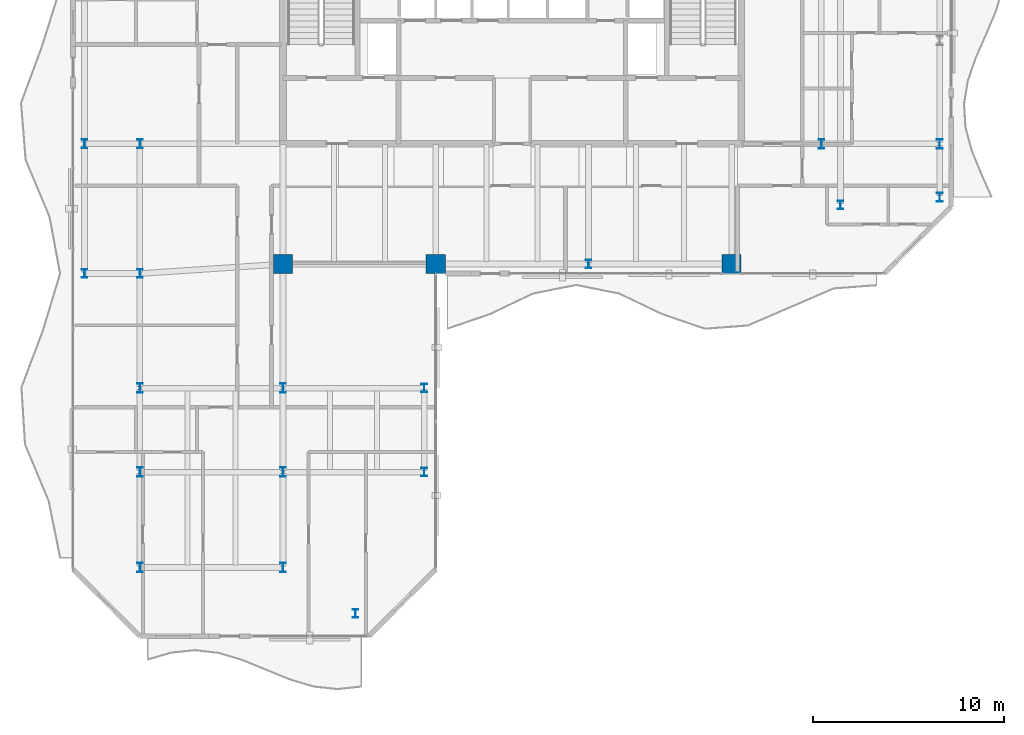
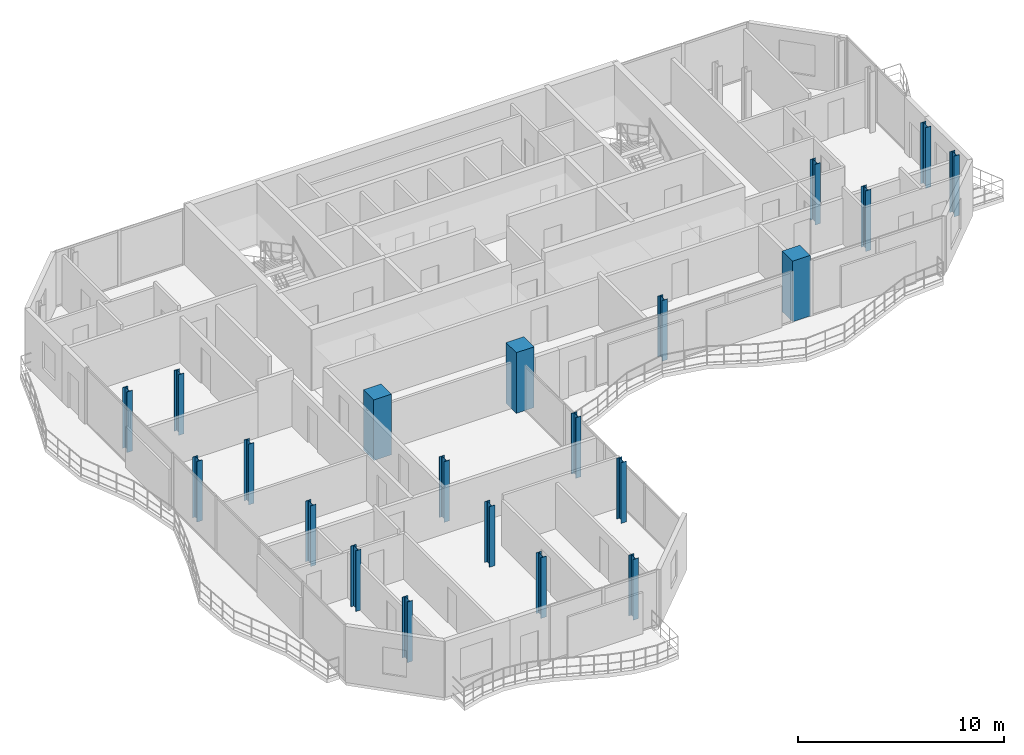
# One storey, part 1 of 23: 21 columns.
"""IFC4 building model written with IfcOpenShell, lengths in metres."""

from ifc_helpers import new_model, si_unit, direction, frame, origin, origin_2d, place, context, subcontext, project, spatial, rectangle, i_section, extrude, material, material_profile, profile_set, type_object, element, save


model = new_model("IFC4")

# Units and contexts
model_context = context("Model", 3, precision=1e-05, world=origin(), true_north=direction((0.0, 1.0)))
body_context = subcontext(model_context, "Body", "Model", "MODEL_VIEW")
ifc_project = project(units=[si_unit("LENGTHUNIT", "METRE"), si_unit("AREAUNIT", "SQUARE_METRE"), si_unit("VOLUMEUNIT", "CUBIC_METRE"), si_unit("PLANEANGLEUNIT", "RADIAN"), si_unit("MASSUNIT", "GRAM", prefix="KILO")], contexts=[model_context])

# Site, building, storey
site_placement = place(None, origin())
site = spatial("IfcSite", under=ifc_project, at=site_placement, CompositionType="ELEMENT")
building_placement = place(site_placement, origin())
building = spatial("IfcBuilding", under=site, at=building_placement, Name="Catumbela Crestline Tower", CompositionType="ELEMENT")
storey_placement = place(building_placement, frame((0.0, 0.0, 201.0)))
storey = spatial("IfcBuildingStorey", under=building, at=storey_placement, Name="L52", CompositionType="ELEMENT", Elevation=201.0)

# Columns
ifc_material_1 = material(Name="Concrete C50/60", Category="concrete")
ifc_material_profile_1 = material_profile(ifc_material_1, rectangle(XDim=1.0, YDim=1.0, at=origin_2d()), Name="RC 1000x1000")
ifc_profile_set_1 = profile_set([ifc_material_profile_1], Name="Concrete C50/60")
column_type_1 = type_object("IfcColumnType", Name="C-RC1000-C50", PredefinedType="COLUMN", material=ifc_profile_set_1)
for number, where, z_axis, x_axis, name in (
    (1, (16.0, 24.5, 0.0), (0.0, 0.0, 1.0), (1.0, 0.0, 0.0), "L52 Column C-16-24 (RC 1000x1000)"),
    (2, (24.0, 24.5, 0.0), (0.0, 0.0, 1.0), (1.0, 0.0, 0.0), "L52 Column C-24-24 (RC 1000x1000)"),
    (3, (39.5, 24.5, 0.0), (0.0, 0.0, 1.0), (1.0, 0.0, 0.0), "L52 Column C-40-24 (RC 1000x1000)"),
):
    element("IfcColumn", number, at=place(storey_placement, frame(where, z_axis=z_axis, x_axis=x_axis)), inside=storey, type_object=column_type_1, Name=name, PredefinedType="COLUMN", context=body_context, shape_type="SweptSolid", body=[
        extrude(rectangle(XDim=1.0, YDim=1.0, at=origin_2d()), origin(), (0.0, 0.0, 1.0), 3.6),
    ])
ifc_material_2 = material(Name="Structural steel S355J2", Category="steel")
ifc_material_profile_2 = material_profile(ifc_material_2, i_section(OverallWidth=0.3, OverallDepth=0.45, WebThickness=0.014, FlangeThickness=0.026, FilletRadius=0.027, at=origin_2d()), Name="HEB 450")
ifc_profile_set_2 = profile_set([ifc_material_profile_2], Name="Structural steel S355J2")
column_type_2 = type_object("IfcColumnType", Name="C-ST-HEB450", PredefinedType="COLUMN", material=ifc_profile_set_2)
for number, where, z_axis, x_axis, name in (
    (4, (8.5, 24.0, 0.0), (0.0, 0.0, 1.0), (1.0, 0.0, 0.0), "L52 Column C-08-24 (HEB 450)"),
    (5, (32.0, 24.5, 0.0), (0.0, 0.0, 1.0), (1.0, 0.0, 0.0), "L52 Column C-32-24 (HEB 450)"),
    (6, (5.6, 24.0, 0.0), (0.0, 0.0, 1.0), (1.0, 0.0, 0.0), "L52 Column C-05-24 (HEB 450)"),
    (7, (5.6, 30.8, 0.0), (0.0, 0.0, 1.0), (1.0, 0.0, 0.0), "L52 Column C-05-31 (HEB 450)"),
    (8, (8.5, 30.8, 0.0), (0.0, 0.0, 1.0), (1.0, 0.0, 0.0), "L52 Column C-08-31 (HEB 450)"),
    (9, (45.2, 27.6, 0.0), (0.0, 0.0, 1.0), (1.0, 0.0, 0.0), "L52 Column C-46-24 (HEB 450)"),
    (10, (50.4, 28.0, 0.0), (0.0, 0.0, 1.0), (1.0, 0.0, 0.0), "L52 Column C-51-24 (HEB 450)"),
    (11, (19.8, 6.2, 0.0), (0.0, 0.0, 1.0), (1.0, 0.0, 0.0), "L52 Column C-24-05 (HEB 450)"),
    (12, (23.4, 13.6, 0.0), (0.0, 0.0, 1.0), (1.0, 0.0, 0.0), "L52 Column C-24-10 (HEB 450)"),
    (13, (23.4, 18.0, 0.0), (0.0, 0.0, 1.0), (1.0, 0.0, 0.0), "L52 Column C-24-16 (HEB 450)"),
):
    element("IfcColumn", number, at=place(storey_placement, frame(where, z_axis=z_axis, x_axis=x_axis)), inside=storey, type_object=column_type_2, Name=name, PredefinedType="COLUMN", context=body_context, shape_type="SweptSolid", body=[
        extrude(i_section(OverallWidth=0.3, OverallDepth=0.45, WebThickness=0.014, FlangeThickness=0.026, FilletRadius=0.027, at=origin_2d()), origin(), (0.0, 0.0, 1.0), 3.6),
    ])
ifc_material_profile_3 = material_profile(ifc_material_2, i_section(OverallWidth=0.3, OverallDepth=0.5, WebThickness=0.0145, FlangeThickness=0.028, FilletRadius=0.027, at=origin_2d()), Name="HEB 500")
ifc_profile_set_3 = profile_set([ifc_material_profile_3], Name="Structural steel S355J2")
column_type_3 = type_object("IfcColumnType", Name="C-ST-HEB500", PredefinedType="COLUMN", material=ifc_profile_set_3)
for number, where, z_axis, x_axis, name in (
    (14, (8.5, 8.6, 0.0), (0.0, 0.0, 1.0), (1.0, 0.0, 0.0), "L52 Column CT-05-05 (HEB 500)"),
    (15, (16.0, 8.6, 0.0), (0.0, 0.0, 1.0), (1.0, 0.0, 0.0), "L52 Column CT-14-05 (HEB 500)"),
    (16, (8.5, 13.6, 0.0), (0.0, 0.0, 1.0), (1.0, 0.0, 0.0), "L52 Column CT-05-10 (HEB 500)"),
    (17, (16.0, 13.6, 0.0), (0.0, 0.0, 1.0), (1.0, 0.0, 0.0), "L52 Column CT-14-10 (HEB 500)"),
    (18, (8.5, 18.0, 0.0), (0.0, 0.0, 1.0), (1.0, 0.0, 0.0), "L52 Column CT-05-16 (HEB 500)"),
    (19, (16.0, 18.0, 0.0), (0.0, 0.0, 1.0), (1.0, 0.0, 0.0), "L52 Column CT-14-16 (HEB 500)"),
    (20, (44.2, 30.8, 0.0), (0.0, 0.0, 1.0), (1.0, 0.0, 0.0), "L52 Column CT-46-31 (HEB 500)"),
    (21, (50.4, 30.8, 0.0), (0.0, 0.0, 1.0), (1.0, 0.0, 0.0), "L52 Column CT-51-31 (HEB 500)"),
):
    element("IfcColumn", number, at=place(storey_placement, frame(where, z_axis=z_axis, x_axis=x_axis)), inside=storey, type_object=column_type_3, Name=name, PredefinedType="COLUMN", context=body_context, shape_type="SweptSolid", body=[
        extrude(i_section(OverallWidth=0.3, OverallDepth=0.5, WebThickness=0.0145, FlangeThickness=0.028, FilletRadius=0.027, at=origin_2d()), origin(), (0.0, 0.0, 1.0), 3.6),
    ])

save(model, "model.ifc")
